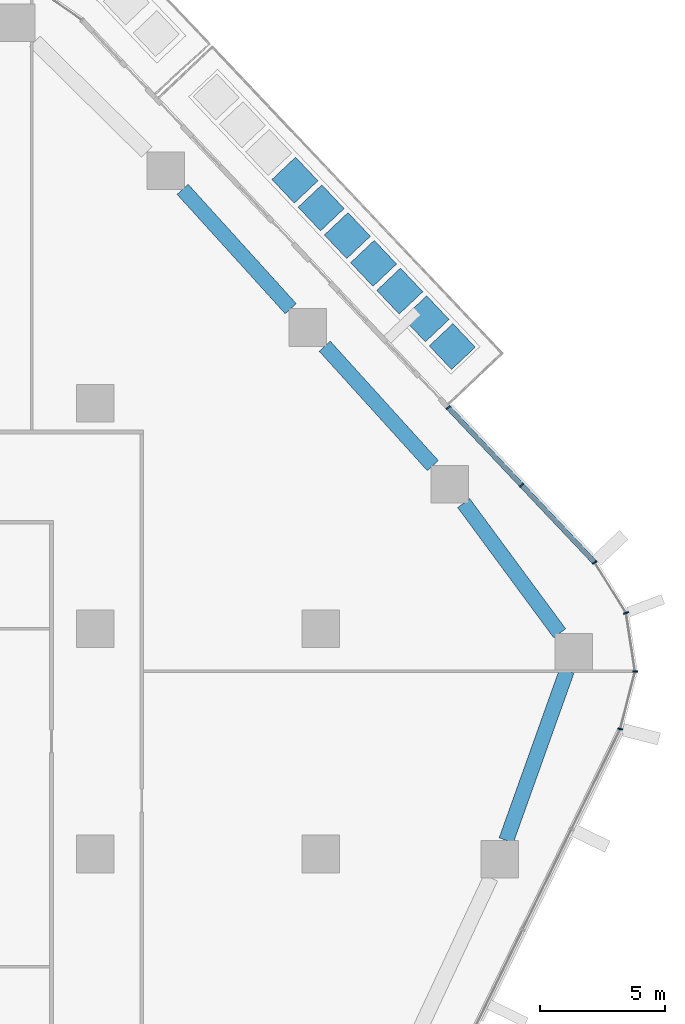
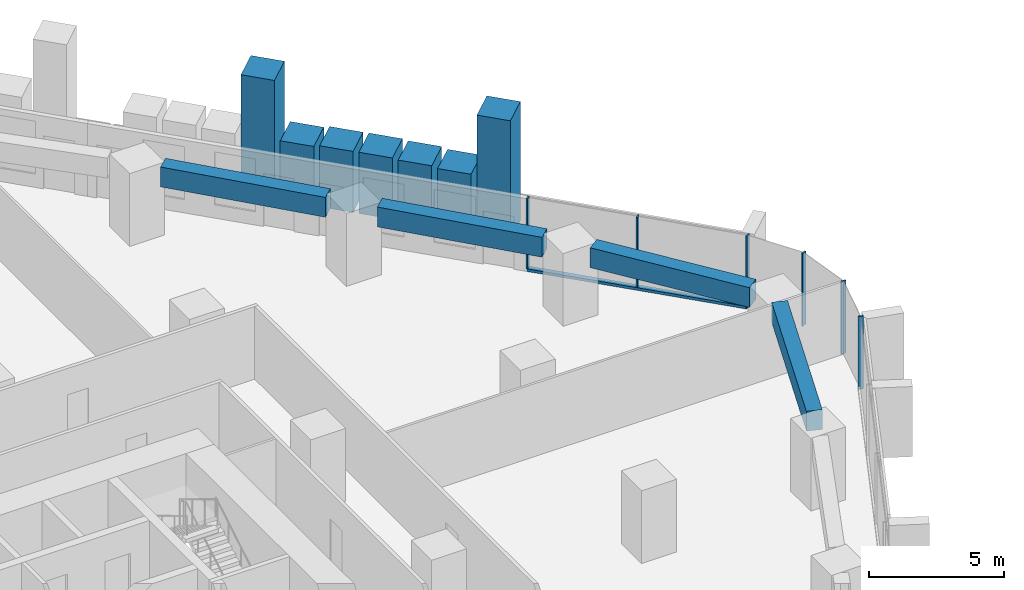
# One storey, part 8 of 25: 14 members, 4 beams, 2 elements without a shape of their own.
"""IFC4 building model written with IfcOpenShell, lengths in metres."""

from ifc_helpers import new_model, si_unit, direction, frame, origin, origin_2d, place, context, subcontext, project, spatial, rectangle, extrude, material, layer, layer_set, material_profile, profile_set, type_object, element, aggregate, save


model = new_model("IFC4")

# Units and contexts
model_context = context("Model", 3, precision=1e-05, world=origin(), true_north=direction((0.0, 1.0)))
body_context = subcontext(model_context, "Body", "Model", "MODEL_VIEW")
ifc_project = project(units=[si_unit("LENGTHUNIT", "METRE"), si_unit("AREAUNIT", "SQUARE_METRE"), si_unit("VOLUMEUNIT", "CUBIC_METRE"), si_unit("PLANEANGLEUNIT", "RADIAN"), si_unit("MASSUNIT", "GRAM", prefix="KILO")], contexts=[model_context])

# Site, building, storey
site_placement = place(None, origin())
site = spatial("IfcSite", under=ifc_project, at=site_placement, CompositionType="ELEMENT")
building_placement = place(site_placement, origin())
building = spatial("IfcBuilding", under=site, at=building_placement, Name="Dongbaek Canopy Tower", CompositionType="ELEMENT")
storey_placement = place(building_placement, frame((0.0, 0.0, 81.0)))
storey = spatial("IfcBuildingStorey", under=building, at=storey_placement, Name="L16", CompositionType="ELEMENT", Elevation=81.0)

# Curtain wall, members
ifc_material_1 = material(Name="Aluminium 6063-T6 pale anodised", Category="aluminium")
ifc_layer = layer(ifc_material_1, 0.199951171875)
ifc_layer_set = layer_set([ifc_layer], Name="CW-1 unitised tower curtain wall")
curtain_wall_type = type_object("IfcCurtainWallType", Name="CW-1 unitised tower curtain wall", PredefinedType="NOTDEFINED", material=ifc_layer_set)
curtain_wall_1_placement = place(storey_placement, origin())
curtain_wall_1 = element("IfcCurtainWall", 1, at=curtain_wall_1_placement, inside=storey, type_object=curtain_wall_type, Name="CW-1 curtain wall K0.1", PredefinedType="NOTDEFINED")
ifc_material_2 = material(Name="Aluminium 6063-T6 pale anodised", Category="aluminium")
ifc_material_profile_1 = material_profile(ifc_material_2, rectangle(XDim=0.199951171875, YDim=0.06005859375, at=origin_2d()), Name="CW-1 mullion 60 x 200")
ifc_profile_set_1 = profile_set([ifc_material_profile_1], Name="Aluminium 6063-T6 pale anodised")
member_type_1 = type_object("IfcMemberType", Name="CW-1 mullion 60 x 200", PredefinedType="MULLION", material=ifc_profile_set_1)
member_1_placement = place(storey_placement, frame((38.9638671875, 4.99072265625, 0.0), z_axis=(0.0, 0.0, 1.0), x_axis=(0.968574939912, -0.248721904492, 0.0)))
member_1 = element("IfcMember", 2, at=member_1_placement, type_object=member_type_1, Name="CW-1 mullion K0.1.1", PredefinedType="MULLION", context=body_context, shape_type="SweptSolid", body=[
    extrude(rectangle(XDim=0.199951171875, YDim=0.06005859375, at=origin_2d()), origin(), (0.0, 0.0, 1.0), 3.300048828125),
])
member_2_placement = place(storey_placement, frame((39.554443359375, 7.290283203125, 0.0), z_axis=(0.0, 0.0, 1.0), x_axis=(0.998769355968, -0.049596104469, 0.0)))
member_2 = element("IfcMember", 3, at=member_2_placement, type_object=member_type_1, Name="CW-1 mullion K0.1.2", PredefinedType="MULLION", context=body_context, shape_type="SweptSolid", body=[
    extrude(rectangle(XDim=0.199951171875, YDim=0.06005859375, at=origin_2d()), origin(), (0.0, 0.0, 1.0), 3.300048828125),
])
member_3_placement = place(storey_placement, frame((39.1962890625, 9.62646484375, 0.0), z_axis=(0.0, 0.0, 1.0), x_axis=(0.938038127349, 0.346532064374, 0.0)))
member_3 = element("IfcMember", 4, at=member_3_placement, type_object=member_type_1, Name="CW-1 mullion K0.1.3", PredefinedType="MULLION", context=body_context, shape_type="SweptSolid", body=[
    extrude(rectangle(XDim=0.199951171875, YDim=0.06005859375, at=origin_2d()), origin(), (0.0, 0.0, 1.0), 3.300048828125),
])
member_4_placement = place(storey_placement, frame((37.944091796875, 11.643310546875, 0.0), z_axis=(0.0, 0.0, 1.0), x_axis=(0.849575910562, 0.527466370675, 0.0)))
member_4 = element("IfcMember", 5, at=member_4_placement, type_object=member_type_1, Name="CW-1 mullion K0.1.4", PredefinedType="MULLION", context=body_context, shape_type="SweptSolid", body=[
    extrude(rectangle(XDim=0.199951171875, YDim=0.06005859375, at=origin_2d()), origin(), (0.0, 0.0, 1.0), 3.300048828125),
])
aggregate(curtain_wall_1, [member_1, member_2, member_3, member_4])

curtain_wall_2_placement = place(storey_placement, origin())
curtain_wall_2 = element("IfcCurtainWall", 6, at=curtain_wall_2_placement, inside=storey, type_object=curtain_wall_type, Name="CW-1 curtain wall F0.1", PredefinedType="NOTDEFINED")
member_5_placement = place(storey_placement, frame((35.0234375, 14.732666015625, 0.1201171875), z_axis=(0.0, 0.0, 1.0), x_axis=(0.72665252709, 0.687005170923, 0.0)))
member_5 = element("IfcMember", 7, at=member_5_placement, type_object=member_type_1, Name="CW-1 mullion F0.1.2", PredefinedType="MULLION", context=body_context, shape_type="SweptSolid", body=[
    extrude(rectangle(XDim=0.199951171875, YDim=0.06005859375, at=origin_2d()), origin(), (0.0, 0.0, 1.0), 3.179931640625),
])
member_6_placement = place(storey_placement, frame((32.095703125, 17.8291015625, 0.1201171875), z_axis=(0.0, 0.0, 1.0), x_axis=(0.72665252709, 0.687005170923, 0.0)))
member_6 = element("IfcMember", 8, at=member_6_placement, type_object=member_type_1, Name="CW-1 mullion F0.1.3", PredefinedType="MULLION", context=body_context, shape_type="SweptSolid", body=[
    extrude(rectangle(XDim=0.199951171875, YDim=0.06005859375, at=origin_2d()), origin(), (0.0, 0.0, 1.0), 3.179931640625),
])
ifc_material_3 = material(Name="Aluminium 6063-T6 pale anodised", Category="aluminium")
ifc_material_profile_2 = material_profile(ifc_material_3, rectangle(XDim=0.199951171875, YDim=0.1201171875, at=origin_2d()), Name="CW-1 transom 120 x 200")
ifc_profile_set_2 = profile_set([ifc_material_profile_2], Name="Aluminium 6063-T6 pale anodised")
member_type_2 = type_object("IfcMemberType", Name="CW-1 transom 120 x 200", PredefinedType="USERDEFINED", material=ifc_profile_set_2)
member_7_placement = place(storey_placement, frame((37.944091796875, 11.643310546875, 0.06005859375), z_axis=(-0.687011657733, 0.726646394155, 0.0), x_axis=(-0.726646394155, -0.687011657733, 0.0)))
member_7 = element("IfcMember", 9, at=member_7_placement, type_object=member_type_2, Name="CW-1 transom F0.1.1", ObjectType="TRANSOM", PredefinedType="USERDEFINED", context=body_context, shape_type="SweptSolid", body=[
    extrude(rectangle(XDim=0.199951171875, YDim=0.1201171875, at=origin_2d()), origin(), (0.0, 0.0, 1.0), 8.5126953125),
])
aggregate(curtain_wall_2, [member_5, member_6, member_7])

# Beams
ifc_material_4 = material(Name="Concrete C80", Category="concrete")
ifc_material_profile_3 = material_profile(ifc_material_4, rectangle(XDim=0.60009765625, YDim=0.89990234375, at=origin_2d()), Name="RC EDGE BEAM 600x900 C80")
ifc_profile_set_3 = profile_set([ifc_material_profile_3], Name="Concrete C80")
beam_type = type_object("IfcBeamType", Name="RC EDGE BEAM 600x900 C80", PredefinedType="BEAM", material=ifc_profile_set_3)
beam_1_placement = place(storey_placement, frame((21.484375, 26.547119140625, 2.85009765625), z_axis=(0.671288874095, -0.741195822652, 0.0), x_axis=(0.741195822652, 0.671288874095, 0.0)))
element("IfcBeam", 10, at=beam_1_placement, inside=storey, type_object=beam_type, Name="EDGEBEAM:L16:18", PredefinedType="BEAM", context=body_context, shape_type="SweptSolid", body=[
    extrude(rectangle(XDim=0.60009765625, YDim=0.89990234375, at=origin_2d()), origin(), (0.0, 0.0, 1.0), 6.432861328125),
])
beam_2_placement = place(storey_placement, frame((27.1611328125, 20.279052734375, 2.85009765625), z_axis=(0.671226318279, -0.741252473621, 0.0), x_axis=(0.741252473621, 0.671226318279, 0.0)))
element("IfcBeam", 11, at=beam_2_placement, inside=storey, type_object=beam_type, Name="EDGEBEAM:L16:19", PredefinedType="BEAM", context=body_context, shape_type="SweptSolid", body=[
    extrude(rectangle(XDim=0.60009765625, YDim=0.89990234375, at=origin_2d()), origin(), (0.0, 0.0, 1.0), 6.432373046875),
])
beam_3_placement = place(storey_placement, frame((32.71142578125, 14.010986328125, 2.85009765625), z_axis=(0.593731643304, -0.804663119411, 0.0), x_axis=(0.804663119411, 0.593731643304, 0.0)))
element("IfcBeam", 12, at=beam_3_placement, inside=storey, type_object=beam_type, Name="EDGEBEAM:L16:20", PredefinedType="BEAM", context=body_context, shape_type="SweptSolid", body=[
    extrude(rectangle(XDim=0.60009765625, YDim=0.89990234375, at=origin_2d()), origin(), (0.0, 0.0, 1.0), 6.456298828125),
])
beam_4_placement = place(storey_placement, frame((36.830078125, 7.31591796875, 2.85009765625), z_axis=(-0.336456848831, -0.941698884397, 0.0), x_axis=(0.941698884397, -0.336456848831, 0.0)))
element("IfcBeam", 13, at=beam_4_placement, inside=storey, type_object=beam_type, Name="EDGEBEAM:L16:21", PredefinedType="BEAM", context=body_context, shape_type="SweptSolid", body=[
    extrude(rectangle(XDim=0.60009765625, YDim=0.89990234375, at=origin_2d()), origin(), (0.0, 0.0, 1.0), 7.190185546875),
])

# Members
ifc_material_5 = material(Name="Concrete C40/50 planter mass with planting", Category="concrete")
ifc_material_profile_4 = material_profile(ifc_material_5, rectangle(XDim=1.300048828125, YDim=1.300048828125, at=origin_2d()), Name="Terrace PLANTER shrub mass 1300 x 1300")
ifc_profile_set_4 = profile_set([ifc_material_profile_4], Name="Concrete C40/50 planter mass with planting")
member_type_3 = type_object("IfcMemberType", Name="Terrace PLANTER shrub mass 1300 x 1300", PredefinedType="USERDEFINED", material=ifc_profile_set_4)
member_8_placement = place(storey_placement, frame((32.25439453125, 20.266845703125, 0.419921875), z_axis=(0.0, 0.0, 1.0), x_axis=(0.72665252709, 0.687005170923, 0.0)))
element("IfcMember", 14, at=member_8_placement, inside=storey, type_object=member_type_3, Name="Planter tree L16 1.1", ObjectType="PLANTER", PredefinedType="USERDEFINED", context=body_context, shape_type="SweptSolid", body=[
    extrude(rectangle(XDim=1.300048828125, YDim=1.300048828125, at=origin_2d()), origin(), (0.0, 0.0, 1.0), 5.380126953125),
])
member_9_placement = place(storey_placement, frame((31.20703125, 21.37451171875, 0.419921875), z_axis=(0.0, 0.0, 1.0), x_axis=(0.72665252709, 0.687005170923, 0.0)))
element("IfcMember", 15, at=member_9_placement, inside=storey, type_object=member_type_3, Name="Planter shrubs L16 1.2", ObjectType="PLANTER", PredefinedType="USERDEFINED", context=body_context, shape_type="SweptSolid", body=[
    extrude(rectangle(XDim=1.300048828125, YDim=1.300048828125, at=origin_2d()), origin(), (0.0, 0.0, 1.0), 2.650146484375),
])
member_10_placement = place(storey_placement, frame((30.15966796875, 22.482421875, 0.419921875), z_axis=(0.0, 0.0, 1.0), x_axis=(0.72665252709, 0.687005170923, 0.0)))
element("IfcMember", 16, at=member_10_placement, inside=storey, type_object=member_type_3, Name="Planter shrubs L16 1.3", ObjectType="PLANTER", PredefinedType="USERDEFINED", context=body_context, shape_type="SweptSolid", body=[
    extrude(rectangle(XDim=1.300048828125, YDim=1.300048828125, at=origin_2d()), origin(), (0.0, 0.0, 1.0), 2.72998046875),
])
member_11_placement = place(storey_placement, frame((29.1123046875, 23.590087890625, 0.419921875), z_axis=(0.0, 0.0, 1.0), x_axis=(0.72665252709, 0.687005170923, 0.0)))
element("IfcMember", 17, at=member_11_placement, inside=storey, type_object=member_type_3, Name="Planter shrubs L16 1.4", ObjectType="PLANTER", PredefinedType="USERDEFINED", context=body_context, shape_type="SweptSolid", body=[
    extrude(rectangle(XDim=1.300048828125, YDim=1.300048828125, at=origin_2d()), origin(), (0.0, 0.0, 1.0), 2.780029296875),
])
member_12_placement = place(storey_placement, frame((28.06494140625, 24.697998046875, 0.419921875), z_axis=(0.0, 0.0, 1.0), x_axis=(0.72665252709, 0.687005170923, 0.0)))
element("IfcMember", 18, at=member_12_placement, inside=storey, type_object=member_type_3, Name="Planter shrubs L16 1.5", ObjectType="PLANTER", PredefinedType="USERDEFINED", context=body_context, shape_type="SweptSolid", body=[
    extrude(rectangle(XDim=1.300048828125, YDim=1.300048828125, at=origin_2d()), origin(), (0.0, 0.0, 1.0), 2.77001953125),
])
member_13_placement = place(storey_placement, frame((27.017578125, 25.805908203125, 0.419921875), z_axis=(0.0, 0.0, 1.0), x_axis=(0.72665252709, 0.687005170923, 0.0)))
element("IfcMember", 19, at=member_13_placement, inside=storey, type_object=member_type_3, Name="Planter shrubs L16 1.6", ObjectType="PLANTER", PredefinedType="USERDEFINED", context=body_context, shape_type="SweptSolid", body=[
    extrude(rectangle(XDim=1.300048828125, YDim=1.300048828125, at=origin_2d()), origin(), (0.0, 0.0, 1.0), 2.690185546875),
])
member_14_placement = place(storey_placement, frame((25.97021484375, 26.91357421875, 0.419921875), z_axis=(0.0, 0.0, 1.0), x_axis=(0.72665252709, 0.687005170923, 0.0)))
element("IfcMember", 20, at=member_14_placement, inside=storey, type_object=member_type_3, Name="Planter tree L16 1.7", ObjectType="PLANTER", PredefinedType="USERDEFINED", context=body_context, shape_type="SweptSolid", body=[
    extrude(rectangle(XDim=1.300048828125, YDim=1.300048828125, at=origin_2d()), origin(), (0.0, 0.0, 1.0), 5.380126953125),
])

save(model, "model.ifc")
